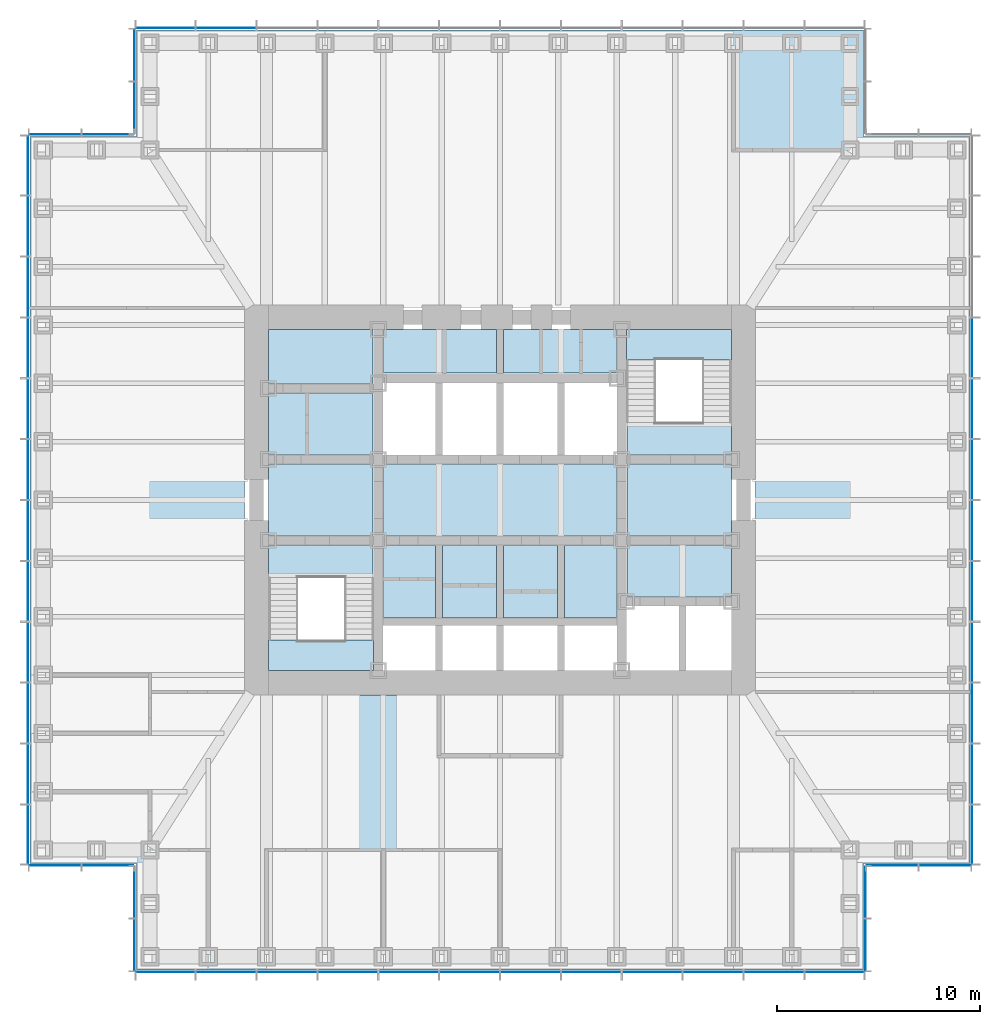
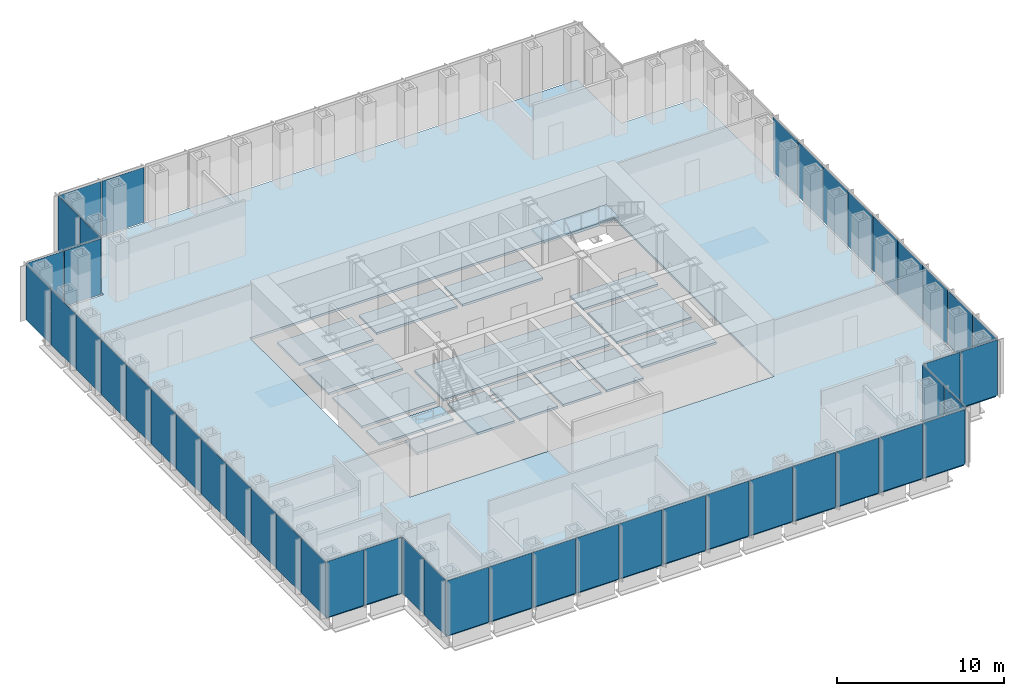
# One storey, part 7 of 16: 47 plates, 17 slabs, 12 elements without a shape of their own.
"""IFC4 building model written with IfcOpenShell, lengths in metres."""

from ifc_helpers import new_model, si_unit, direction, frame, origin, origin_2d, place, context, subcontext, project, spatial, polyline, rectangle, outline, extrude, material, layer, layer_set, type_object, element, aggregate, save


model = new_model("IFC4")

# Units and contexts
model_context = context("Model", 3, precision=1e-05, world=origin(), true_north=direction((0.0, 1.0)))
body_context = subcontext(model_context, "Body", "Model", "MODEL_VIEW")
ifc_project = project(units=[si_unit("LENGTHUNIT", "METRE"), si_unit("AREAUNIT", "SQUARE_METRE"), si_unit("VOLUMEUNIT", "CUBIC_METRE"), si_unit("PLANEANGLEUNIT", "RADIAN"), si_unit("MASSUNIT", "GRAM", prefix="KILO")], contexts=[model_context])

# Site, building, storey
site_placement = place(None, origin())
site = spatial("IfcSite", under=ifc_project, at=site_placement, CompositionType="ELEMENT")
building_placement = place(site_placement, origin())
building = spatial("IfcBuilding", under=site, at=building_placement, Name="Daluyong Arena Tower", CompositionType="ELEMENT")
storey_placement = place(building_placement, frame((0.0, 0.0, 116.5)))
storey = spatial("IfcBuildingStorey", under=building, at=storey_placement, Name="L25", CompositionType="ELEMENT", Elevation=116.5)

# Curtain wall, plates
ifc_material_1 = material(Name="Bronze anodised aluminium and glass", Category="aluminium")
curtain_wall_type_1 = type_object("IfcCurtainWallType", Name="Curtain wall CW2", PredefinedType="USERDEFINED", material=ifc_material_1)
curtain_wall_1_placement = place(storey_placement, origin())
curtain_wall_1 = element("IfcCurtainWall", 1, at=curtain_wall_1_placement, inside=storey, type_object=curtain_wall_type_1, Name="curtain wall L25 S", ObjectType="UNITISED CURTAIN WALL", PredefinedType="USERDEFINED")
ifc_material_2 = material(Name="Tinted double glazed unit", Category="glass")
ifc_layer_1 = layer(ifc_material_2, 0.031982421875)
ifc_layer_set_1 = layer_set([ifc_layer_1], Name="Tinted double glazed unit")
plate_type_1 = type_object("IfcPlateType", Name="CW2 panel 32", PredefinedType="CURTAIN_PANEL", material=ifc_layer_set_1)
plate_1_placement = place(storey_placement, frame((39.52001953125, 56.75, 0.0), z_axis=(0.0, 0.0, 1.0), x_axis=(1.0, 0.0, 0.0)))
plate_1 = element("IfcPlate", 2, at=plate_1_placement, type_object=plate_type_1, Name="curtain wall L25 S panel 1", PredefinedType="CURTAIN_PANEL", context=body_context, shape_type="SweptSolid", body=[
    extrude(rectangle(XDim=2.8798828125, YDim=0.031982421875, at=origin_2d()), origin(), (0.0, 0.0, 1.0), 4.02001953125),
])
plate_2_placement = place(storey_placement, frame((42.5, 56.75, 0.0), z_axis=(0.0, 0.0, 1.0), x_axis=(1.0, 0.0, 0.0)))
plate_2 = element("IfcPlate", 3, at=plate_2_placement, type_object=plate_type_1, Name="curtain wall L25 S panel 2", PredefinedType="CURTAIN_PANEL", context=body_context, shape_type="SweptSolid", body=[
    extrude(rectangle(XDim=2.919921875, YDim=0.031982421875, at=origin_2d()), origin(), (0.0, 0.0, 1.0), 4.02001953125),
])
plate_3_placement = place(storey_placement, frame((45.5, 56.75, 0.0), z_axis=(0.0, 0.0, 1.0), x_axis=(1.0, 0.0, 0.0)))
plate_3 = element("IfcPlate", 4, at=plate_3_placement, type_object=plate_type_1, Name="curtain wall L25 S panel 3", PredefinedType="CURTAIN_PANEL", context=body_context, shape_type="SweptSolid", body=[
    extrude(rectangle(XDim=2.919921875, YDim=0.031982421875, at=origin_2d()), origin(), (0.0, 0.0, 1.0), 4.02001953125),
])
plate_4_placement = place(storey_placement, frame((48.5, 56.75, 0.0), z_axis=(0.0, 0.0, 1.0), x_axis=(1.0, 0.0, 0.0)))
plate_4 = element("IfcPlate", 5, at=plate_4_placement, type_object=plate_type_1, Name="curtain wall L25 S panel 4", PredefinedType="CURTAIN_PANEL", context=body_context, shape_type="SweptSolid", body=[
    extrude(rectangle(XDim=2.919921875, YDim=0.031982421875, at=origin_2d()), origin(), (0.0, 0.0, 1.0), 4.02001953125),
])
plate_5_placement = place(storey_placement, frame((51.5, 56.75, 0.0), z_axis=(0.0, 0.0, 1.0), x_axis=(1.0, 0.0, 0.0)))
plate_5 = element("IfcPlate", 6, at=plate_5_placement, type_object=plate_type_1, Name="curtain wall L25 S panel 5", PredefinedType="CURTAIN_PANEL", context=body_context, shape_type="SweptSolid", body=[
    extrude(rectangle(XDim=2.919921875, YDim=0.031982421875, at=origin_2d()), origin(), (0.0, 0.0, 1.0), 4.02001953125),
])
plate_6_placement = place(storey_placement, frame((54.5, 56.75, 0.0), z_axis=(0.0, 0.0, 1.0), x_axis=(1.0, 0.0, 0.0)))
plate_6 = element("IfcPlate", 7, at=plate_6_placement, type_object=plate_type_1, Name="curtain wall L25 S panel 6", PredefinedType="CURTAIN_PANEL", context=body_context, shape_type="SweptSolid", body=[
    extrude(rectangle(XDim=2.919921875, YDim=0.031982421875, at=origin_2d()), origin(), (0.0, 0.0, 1.0), 4.02001953125),
])
plate_7_placement = place(storey_placement, frame((57.5, 56.75, 0.0), z_axis=(0.0, 0.0, 1.0), x_axis=(1.0, 0.0, 0.0)))
plate_7 = element("IfcPlate", 8, at=plate_7_placement, type_object=plate_type_1, Name="curtain wall L25 S panel 7", PredefinedType="CURTAIN_PANEL", context=body_context, shape_type="SweptSolid", body=[
    extrude(rectangle(XDim=2.919921875, YDim=0.031982421875, at=origin_2d()), origin(), (0.0, 0.0, 1.0), 4.02001953125),
])
plate_8_placement = place(storey_placement, frame((60.5, 56.75, 0.0), z_axis=(0.0, 0.0, 1.0), x_axis=(1.0, 0.0, 0.0)))
plate_8 = element("IfcPlate", 9, at=plate_8_placement, type_object=plate_type_1, Name="curtain wall L25 S panel 8", PredefinedType="CURTAIN_PANEL", context=body_context, shape_type="SweptSolid", body=[
    extrude(rectangle(XDim=2.919921875, YDim=0.031982421875, at=origin_2d()), origin(), (0.0, 0.0, 1.0), 4.02001953125),
])
plate_9_placement = place(storey_placement, frame((63.5, 56.75, 0.0), z_axis=(0.0, 0.0, 1.0), x_axis=(1.0, 0.0, 0.0)))
plate_9 = element("IfcPlate", 10, at=plate_9_placement, type_object=plate_type_1, Name="curtain wall L25 S panel 9", PredefinedType="CURTAIN_PANEL", context=body_context, shape_type="SweptSolid", body=[
    extrude(rectangle(XDim=2.919921875, YDim=0.031982421875, at=origin_2d()), origin(), (0.0, 0.0, 1.0), 4.02001953125),
])
plate_10_placement = place(storey_placement, frame((66.5, 56.75, 0.0), z_axis=(0.0, 0.0, 1.0), x_axis=(1.0, 0.0, 0.0)))
plate_10 = element("IfcPlate", 11, at=plate_10_placement, type_object=plate_type_1, Name="curtain wall L25 S panel 10", PredefinedType="CURTAIN_PANEL", context=body_context, shape_type="SweptSolid", body=[
    extrude(rectangle(XDim=2.919921875, YDim=0.031982421875, at=origin_2d()), origin(), (0.0, 0.0, 1.0), 4.02001953125),
])
plate_11_placement = place(storey_placement, frame((69.5, 56.75, 0.0), z_axis=(0.0, 0.0, 1.0), x_axis=(1.0, 0.0, 0.0)))
plate_11 = element("IfcPlate", 12, at=plate_11_placement, type_object=plate_type_1, Name="curtain wall L25 S panel 11", PredefinedType="CURTAIN_PANEL", context=body_context, shape_type="SweptSolid", body=[
    extrude(rectangle(XDim=2.919921875, YDim=0.031982421875, at=origin_2d()), origin(), (0.0, 0.0, 1.0), 4.02001953125),
])
plate_12_placement = place(storey_placement, frame((72.47998046875, 56.75, 0.0), z_axis=(0.0, 0.0, 1.0), x_axis=(1.0, 0.0, 0.0)))
plate_12 = element("IfcPlate", 13, at=plate_12_placement, type_object=plate_type_1, Name="curtain wall L25 S panel 12", PredefinedType="CURTAIN_PANEL", context=body_context, shape_type="SweptSolid", body=[
    extrude(rectangle(XDim=2.8798828125, YDim=0.031982421875, at=origin_2d()), origin(), (0.0, 0.0, 1.0), 4.02001953125),
])
aggregate(curtain_wall_1, [plate_1, plate_2, plate_3, plate_4, plate_5, plate_6, plate_7, plate_8, plate_9, plate_10, plate_11, plate_12])

curtain_wall_2_placement = place(storey_placement, origin())
curtain_wall_2 = element("IfcCurtainWall", 14, at=curtain_wall_2_placement, inside=storey, type_object=curtain_wall_type_1, Name="curtain wall L25 E", ObjectType="UNITISED CURTAIN WALL", PredefinedType="USERDEFINED")
plate_13_placement = place(storey_placement, frame((79.25, 63.52001953125, 0.0), z_axis=(0.0, 0.0, 1.0), x_axis=(0.0, 1.0, 0.0)))
plate_13 = element("IfcPlate", 15, at=plate_13_placement, type_object=plate_type_1, Name="curtain wall L25 E panel 1", PredefinedType="CURTAIN_PANEL", context=body_context, shape_type="SweptSolid", body=[
    extrude(rectangle(XDim=2.8798828125, YDim=0.031982421875, at=origin_2d()), origin(), (0.0, 0.0, 1.0), 4.02001953125),
])
plate_14_placement = place(storey_placement, frame((79.25, 66.5, 0.0), z_axis=(0.0, 0.0, 1.0), x_axis=(0.0, 1.0, 0.0)))
plate_14 = element("IfcPlate", 16, at=plate_14_placement, type_object=plate_type_1, Name="curtain wall L25 E panel 2", PredefinedType="CURTAIN_PANEL", context=body_context, shape_type="SweptSolid", body=[
    extrude(rectangle(XDim=2.919921875, YDim=0.031982421875, at=origin_2d()), origin(), (0.0, 0.0, 1.0), 4.02001953125),
])
plate_15_placement = place(storey_placement, frame((79.25, 69.5, 0.0), z_axis=(0.0, 0.0, 1.0), x_axis=(0.0, 1.0, 0.0)))
plate_15 = element("IfcPlate", 17, at=plate_15_placement, type_object=plate_type_1, Name="curtain wall L25 E panel 3", PredefinedType="CURTAIN_PANEL", context=body_context, shape_type="SweptSolid", body=[
    extrude(rectangle(XDim=2.919921875, YDim=0.031982421875, at=origin_2d()), origin(), (0.0, 0.0, 1.0), 4.02001953125),
])
plate_16_placement = place(storey_placement, frame((79.25, 72.5, 0.0), z_axis=(0.0, 0.0, 1.0), x_axis=(0.0, 1.0, 0.0)))
plate_16 = element("IfcPlate", 18, at=plate_16_placement, type_object=plate_type_1, Name="curtain wall L25 E panel 4", PredefinedType="CURTAIN_PANEL", context=body_context, shape_type="SweptSolid", body=[
    extrude(rectangle(XDim=2.919921875, YDim=0.031982421875, at=origin_2d()), origin(), (0.0, 0.0, 1.0), 4.02001953125),
])
plate_17_placement = place(storey_placement, frame((79.25, 75.5, 0.0), z_axis=(0.0, 0.0, 1.0), x_axis=(0.0, 1.0, 0.0)))
plate_17 = element("IfcPlate", 19, at=plate_17_placement, type_object=plate_type_1, Name="curtain wall L25 E panel 5", PredefinedType="CURTAIN_PANEL", context=body_context, shape_type="SweptSolid", body=[
    extrude(rectangle(XDim=2.919921875, YDim=0.031982421875, at=origin_2d()), origin(), (0.0, 0.0, 1.0), 4.02001953125),
])
plate_18_placement = place(storey_placement, frame((79.25, 78.5, 0.0), z_axis=(0.0, 0.0, 1.0), x_axis=(0.0, 1.0, 0.0)))
plate_18 = element("IfcPlate", 20, at=plate_18_placement, type_object=plate_type_1, Name="curtain wall L25 E panel 6", PredefinedType="CURTAIN_PANEL", context=body_context, shape_type="SweptSolid", body=[
    extrude(rectangle(XDim=2.919921875, YDim=0.031982421875, at=origin_2d()), origin(), (0.0, 0.0, 1.0), 4.02001953125),
])
plate_19_placement = place(storey_placement, frame((79.25, 81.5, 0.0), z_axis=(0.0, 0.0, 1.0), x_axis=(0.0, 1.0, 0.0)))
plate_19 = element("IfcPlate", 21, at=plate_19_placement, type_object=plate_type_1, Name="curtain wall L25 E panel 7", PredefinedType="CURTAIN_PANEL", context=body_context, shape_type="SweptSolid", body=[
    extrude(rectangle(XDim=2.919921875, YDim=0.031982421875, at=origin_2d()), origin(), (0.0, 0.0, 1.0), 4.02001953125),
])
plate_20_placement = place(storey_placement, frame((79.25, 84.5, 0.0), z_axis=(0.0, 0.0, 1.0), x_axis=(0.0, 1.0, 0.0)))
plate_20 = element("IfcPlate", 22, at=plate_20_placement, type_object=plate_type_1, Name="curtain wall L25 E panel 8", PredefinedType="CURTAIN_PANEL", context=body_context, shape_type="SweptSolid", body=[
    extrude(rectangle(XDim=2.919921875, YDim=0.031982421875, at=origin_2d()), origin(), (0.0, 0.0, 1.0), 4.02001953125),
])
plate_21_placement = place(storey_placement, frame((79.25, 87.5, 0.0), z_axis=(0.0, 0.0, 1.0), x_axis=(0.0, 1.0, 0.0)))
plate_21 = element("IfcPlate", 23, at=plate_21_placement, type_object=plate_type_1, Name="curtain wall L25 E panel 9", PredefinedType="CURTAIN_PANEL", context=body_context, shape_type="SweptSolid", body=[
    extrude(rectangle(XDim=2.919921875, YDim=0.031982421875, at=origin_2d()), origin(), (0.0, 0.0, 1.0), 4.02001953125),
])
aggregate(curtain_wall_2, [plate_13, plate_14, plate_15, plate_16, plate_17, plate_18, plate_19, plate_20, plate_21])

curtain_wall_3_placement = place(storey_placement, origin())
curtain_wall_3 = element("IfcCurtainWall", 24, at=curtain_wall_3_placement, inside=storey, type_object=curtain_wall_type_1, Name="curtain wall L25 N", ObjectType="UNITISED CURTAIN WALL", PredefinedType="USERDEFINED")
plate_22_placement = place(storey_placement, frame((42.5, 103.25, 0.0), z_axis=(0.0, 0.0, 1.0), x_axis=(-1.0, 0.0, 0.0)))
plate_22 = element("IfcPlate", 25, at=plate_22_placement, type_object=plate_type_1, Name="curtain wall L25 N panel 11", PredefinedType="CURTAIN_PANEL", context=body_context, shape_type="SweptSolid", body=[
    extrude(rectangle(XDim=2.919921875, YDim=0.031982421875, at=origin_2d()), origin(), (0.0, 0.0, 1.0), 4.02001953125),
])
plate_23_placement = place(storey_placement, frame((39.52001953125, 103.25, 0.0), z_axis=(0.0, 0.0, 1.0), x_axis=(-1.0, 0.0, 0.0)))
plate_23 = element("IfcPlate", 26, at=plate_23_placement, type_object=plate_type_1, Name="curtain wall L25 N panel 12", PredefinedType="CURTAIN_PANEL", context=body_context, shape_type="SweptSolid", body=[
    extrude(rectangle(XDim=2.8798828125, YDim=0.031982421875, at=origin_2d()), origin(), (0.0, 0.0, 1.0), 4.02001953125),
])
aggregate(curtain_wall_3, [plate_22, plate_23])

curtain_wall_4_placement = place(storey_placement, origin())
curtain_wall_4 = element("IfcCurtainWall", 27, at=curtain_wall_4_placement, inside=storey, type_object=curtain_wall_type_1, Name="curtain wall L25 W", ObjectType="UNITISED CURTAIN WALL", PredefinedType="USERDEFINED")
plate_24_placement = place(storey_placement, frame((32.75, 96.47998046875, 0.0), z_axis=(0.0, 0.0, 1.0), x_axis=(0.0, -1.0, 0.0)))
plate_24 = element("IfcPlate", 28, at=plate_24_placement, type_object=plate_type_1, Name="curtain wall L25 W panel 1", PredefinedType="CURTAIN_PANEL", context=body_context, shape_type="SweptSolid", body=[
    extrude(rectangle(XDim=2.8798828125, YDim=0.031982421875, at=origin_2d()), origin(), (0.0, 0.0, 1.0), 4.02001953125),
])
plate_25_placement = place(storey_placement, frame((32.75, 93.5, 0.0), z_axis=(0.0, 0.0, 1.0), x_axis=(0.0, -1.0, 0.0)))
plate_25 = element("IfcPlate", 29, at=plate_25_placement, type_object=plate_type_1, Name="curtain wall L25 W panel 2", PredefinedType="CURTAIN_PANEL", context=body_context, shape_type="SweptSolid", body=[
    extrude(rectangle(XDim=2.919921875, YDim=0.031982421875, at=origin_2d()), origin(), (0.0, 0.0, 1.0), 4.02001953125),
])
plate_26_placement = place(storey_placement, frame((32.75, 90.5, 0.0), z_axis=(0.0, 0.0, 1.0), x_axis=(0.0, -1.0, 0.0)))
plate_26 = element("IfcPlate", 30, at=plate_26_placement, type_object=plate_type_1, Name="curtain wall L25 W panel 3", PredefinedType="CURTAIN_PANEL", context=body_context, shape_type="SweptSolid", body=[
    extrude(rectangle(XDim=2.919921875, YDim=0.031982421875, at=origin_2d()), origin(), (0.0, 0.0, 1.0), 4.02001953125),
])
plate_27_placement = place(storey_placement, frame((32.75, 87.5, 0.0), z_axis=(0.0, 0.0, 1.0), x_axis=(0.0, -1.0, 0.0)))
plate_27 = element("IfcPlate", 31, at=plate_27_placement, type_object=plate_type_1, Name="curtain wall L25 W panel 4", PredefinedType="CURTAIN_PANEL", context=body_context, shape_type="SweptSolid", body=[
    extrude(rectangle(XDim=2.919921875, YDim=0.031982421875, at=origin_2d()), origin(), (0.0, 0.0, 1.0), 4.02001953125),
])
plate_28_placement = place(storey_placement, frame((32.75, 84.5, 0.0), z_axis=(0.0, 0.0, 1.0), x_axis=(0.0, -1.0, 0.0)))
plate_28 = element("IfcPlate", 32, at=plate_28_placement, type_object=plate_type_1, Name="curtain wall L25 W panel 5", PredefinedType="CURTAIN_PANEL", context=body_context, shape_type="SweptSolid", body=[
    extrude(rectangle(XDim=2.919921875, YDim=0.031982421875, at=origin_2d()), origin(), (0.0, 0.0, 1.0), 4.02001953125),
])
plate_29_placement = place(storey_placement, frame((32.75, 81.5, 0.0), z_axis=(0.0, 0.0, 1.0), x_axis=(0.0, -1.0, 0.0)))
plate_29 = element("IfcPlate", 33, at=plate_29_placement, type_object=plate_type_1, Name="curtain wall L25 W panel 6", PredefinedType="CURTAIN_PANEL", context=body_context, shape_type="SweptSolid", body=[
    extrude(rectangle(XDim=2.919921875, YDim=0.031982421875, at=origin_2d()), origin(), (0.0, 0.0, 1.0), 4.02001953125),
])
plate_30_placement = place(storey_placement, frame((32.75, 78.5, 0.0), z_axis=(0.0, 0.0, 1.0), x_axis=(0.0, -1.0, 0.0)))
plate_30 = element("IfcPlate", 34, at=plate_30_placement, type_object=plate_type_1, Name="curtain wall L25 W panel 7", PredefinedType="CURTAIN_PANEL", context=body_context, shape_type="SweptSolid", body=[
    extrude(rectangle(XDim=2.919921875, YDim=0.031982421875, at=origin_2d()), origin(), (0.0, 0.0, 1.0), 4.02001953125),
])
plate_31_placement = place(storey_placement, frame((32.75, 75.5, 0.0), z_axis=(0.0, 0.0, 1.0), x_axis=(0.0, -1.0, 0.0)))
plate_31 = element("IfcPlate", 35, at=plate_31_placement, type_object=plate_type_1, Name="curtain wall L25 W panel 8", PredefinedType="CURTAIN_PANEL", context=body_context, shape_type="SweptSolid", body=[
    extrude(rectangle(XDim=2.919921875, YDim=0.031982421875, at=origin_2d()), origin(), (0.0, 0.0, 1.0), 4.02001953125),
])
plate_32_placement = place(storey_placement, frame((32.75, 72.5, 0.0), z_axis=(0.0, 0.0, 1.0), x_axis=(0.0, -1.0, 0.0)))
plate_32 = element("IfcPlate", 36, at=plate_32_placement, type_object=plate_type_1, Name="curtain wall L25 W panel 9", PredefinedType="CURTAIN_PANEL", context=body_context, shape_type="SweptSolid", body=[
    extrude(rectangle(XDim=2.919921875, YDim=0.031982421875, at=origin_2d()), origin(), (0.0, 0.0, 1.0), 4.02001953125),
])
plate_33_placement = place(storey_placement, frame((32.75, 69.5, 0.0), z_axis=(0.0, 0.0, 1.0), x_axis=(0.0, -1.0, 0.0)))
plate_33 = element("IfcPlate", 37, at=plate_33_placement, type_object=plate_type_1, Name="curtain wall L25 W panel 10", PredefinedType="CURTAIN_PANEL", context=body_context, shape_type="SweptSolid", body=[
    extrude(rectangle(XDim=2.919921875, YDim=0.031982421875, at=origin_2d()), origin(), (0.0, 0.0, 1.0), 4.02001953125),
])
plate_34_placement = place(storey_placement, frame((32.75, 66.5, 0.0), z_axis=(0.0, 0.0, 1.0), x_axis=(0.0, -1.0, 0.0)))
plate_34 = element("IfcPlate", 38, at=plate_34_placement, type_object=plate_type_1, Name="curtain wall L25 W panel 11", PredefinedType="CURTAIN_PANEL", context=body_context, shape_type="SweptSolid", body=[
    extrude(rectangle(XDim=2.919921875, YDim=0.031982421875, at=origin_2d()), origin(), (0.0, 0.0, 1.0), 4.02001953125),
])
plate_35_placement = place(storey_placement, frame((32.75, 63.52001953125, 0.0), z_axis=(0.0, 0.0, 1.0), x_axis=(0.0, -1.0, 0.0)))
plate_35 = element("IfcPlate", 39, at=plate_35_placement, type_object=plate_type_1, Name="curtain wall L25 W panel 12", PredefinedType="CURTAIN_PANEL", context=body_context, shape_type="SweptSolid", body=[
    extrude(rectangle(XDim=2.8798828125, YDim=0.031982421875, at=origin_2d()), origin(), (0.0, 0.0, 1.0), 4.02001953125),
])
aggregate(curtain_wall_4, [plate_24, plate_25, plate_26, plate_27, plate_28, plate_29, plate_30, plate_31, plate_32, plate_33, plate_34, plate_35])

ifc_material_3 = material(Name="Bronze anodised aluminium and glass", Category="aluminium")
curtain_wall_type_2 = type_object("IfcCurtainWallType", Name="Curtain wall CW7", PredefinedType="USERDEFINED", material=ifc_material_3)
curtain_wall_5_placement = place(storey_placement, origin())
curtain_wall_5 = element("IfcCurtainWall", 40, at=curtain_wall_5_placement, inside=storey, type_object=curtain_wall_type_2, Name="curtain wall L25 SE-E", ObjectType="UNITISED CURTAIN WALL", PredefinedType="USERDEFINED")
ifc_material_4 = material(Name="Tinted double glazed unit", Category="glass")
ifc_layer_2 = layer(ifc_material_4, 0.028076171875)
ifc_layer_set_2 = layer_set([ifc_layer_2], Name="Tinted double glazed unit")
plate_type_2 = type_object("IfcPlateType", Name="CW7 panel 28", PredefinedType="CURTAIN_PANEL", material=ifc_layer_set_2)
plate_36_placement = place(storey_placement, frame((74.0, 58.077392578125, 0.0), z_axis=(0.0, 0.0, 1.0), x_axis=(0.0, 1.0, 0.0)))
plate_36 = element("IfcPlate", 41, at=plate_36_placement, type_object=plate_type_2, Name="curtain wall L25 SE-E panel 1", PredefinedType="CURTAIN_PANEL", context=body_context, shape_type="SweptSolid", body=[
    extrude(rectangle(XDim=2.534912109375, YDim=0.028076171875, at=origin_2d()), origin(), (0.0, 0.0, 1.0), 4.080078125),
])
plate_37_placement = place(storey_placement, frame((74.0, 60.672607421875, 0.0), z_axis=(0.0, 0.0, 1.0), x_axis=(0.0, 1.0, 0.0)))
plate_37 = element("IfcPlate", 42, at=plate_37_placement, type_object=plate_type_2, Name="curtain wall L25 SE-E panel 2", PredefinedType="CURTAIN_PANEL", context=body_context, shape_type="SweptSolid", body=[
    extrude(rectangle(XDim=2.534912109375, YDim=0.028076171875, at=origin_2d()), origin(), (0.0, 0.0, 1.0), 4.080078125),
])
aggregate(curtain_wall_5, [plate_36, plate_37])

curtain_wall_6_placement = place(storey_placement, origin())
curtain_wall_6 = element("IfcCurtainWall", 43, at=curtain_wall_6_placement, inside=storey, type_object=curtain_wall_type_2, Name="curtain wall L25 SE-S", ObjectType="UNITISED CURTAIN WALL", PredefinedType="USERDEFINED")
plate_38_placement = place(storey_placement, frame((75.327392578125, 62.0, 0.0), z_axis=(0.0, 0.0, 1.0), x_axis=(1.0, 0.0, 0.0)))
plate_38 = element("IfcPlate", 44, at=plate_38_placement, type_object=plate_type_2, Name="curtain wall L25 SE-S panel 1", PredefinedType="CURTAIN_PANEL", context=body_context, shape_type="SweptSolid", body=[
    extrude(rectangle(XDim=2.534912109375, YDim=0.028076171875, at=origin_2d()), origin(), (0.0, 0.0, 1.0), 4.080078125),
])
plate_39_placement = place(storey_placement, frame((77.922607421875, 62.0, 0.0), z_axis=(0.0, 0.0, 1.0), x_axis=(1.0, 0.0, 0.0)))
plate_39 = element("IfcPlate", 45, at=plate_39_placement, type_object=plate_type_2, Name="curtain wall L25 SE-S panel 2", PredefinedType="CURTAIN_PANEL", context=body_context, shape_type="SweptSolid", body=[
    extrude(rectangle(XDim=2.534912109375, YDim=0.028076171875, at=origin_2d()), origin(), (0.0, 0.0, 1.0), 4.080078125),
])
aggregate(curtain_wall_6, [plate_38, plate_39])

curtain_wall_7_placement = place(storey_placement, origin())
curtain_wall_7 = element("IfcCurtainWall", 46, at=curtain_wall_7_placement, inside=storey, type_object=curtain_wall_type_2, Name="curtain wall L25 NW-W", ObjectType="UNITISED CURTAIN WALL", PredefinedType="USERDEFINED")
plate_40_placement = place(storey_placement, frame((38.0, 101.922607421875, 0.0), z_axis=(0.0, 0.0, 1.0), x_axis=(0.0, -1.0, 0.0)))
plate_40 = element("IfcPlate", 47, at=plate_40_placement, type_object=plate_type_2, Name="curtain wall L25 NW-W panel 1", PredefinedType="CURTAIN_PANEL", context=body_context, shape_type="SweptSolid", body=[
    extrude(rectangle(XDim=2.534912109375, YDim=0.028076171875, at=origin_2d()), origin(), (0.0, 0.0, 1.0), 4.080078125),
])
plate_41_placement = place(storey_placement, frame((38.0, 99.327392578125, 0.0), z_axis=(0.0, 0.0, 1.0), x_axis=(0.0, -1.0, 0.0)))
plate_41 = element("IfcPlate", 48, at=plate_41_placement, type_object=plate_type_2, Name="curtain wall L25 NW-W panel 2", PredefinedType="CURTAIN_PANEL", context=body_context, shape_type="SweptSolid", body=[
    extrude(rectangle(XDim=2.534912109375, YDim=0.028076171875, at=origin_2d()), origin(), (0.0, 0.0, 1.0), 4.080078125),
])
aggregate(curtain_wall_7, [plate_40, plate_41])

curtain_wall_8_placement = place(storey_placement, origin())
curtain_wall_8 = element("IfcCurtainWall", 49, at=curtain_wall_8_placement, inside=storey, type_object=curtain_wall_type_2, Name="curtain wall L25 NW-N", ObjectType="UNITISED CURTAIN WALL", PredefinedType="USERDEFINED")
plate_42_placement = place(storey_placement, frame((36.672607421875, 98.0, 0.0), z_axis=(0.0, 0.0, 1.0), x_axis=(-1.0, 0.0, 0.0)))
plate_42 = element("IfcPlate", 50, at=plate_42_placement, type_object=plate_type_2, Name="curtain wall L25 NW-N panel 1", PredefinedType="CURTAIN_PANEL", context=body_context, shape_type="SweptSolid", body=[
    extrude(rectangle(XDim=2.534912109375, YDim=0.028076171875, at=origin_2d()), origin(), (0.0, 0.0, 1.0), 4.080078125),
])
plate_43_placement = place(storey_placement, frame((34.077392578125, 98.0, 0.0), z_axis=(0.0, 0.0, 1.0), x_axis=(-1.0, 0.0, 0.0)))
plate_43 = element("IfcPlate", 51, at=plate_43_placement, type_object=plate_type_2, Name="curtain wall L25 NW-N panel 2", PredefinedType="CURTAIN_PANEL", context=body_context, shape_type="SweptSolid", body=[
    extrude(rectangle(XDim=2.534912109375, YDim=0.028076171875, at=origin_2d()), origin(), (0.0, 0.0, 1.0), 4.080078125),
])
aggregate(curtain_wall_8, [plate_42, plate_43])

curtain_wall_9_placement = place(storey_placement, origin())
curtain_wall_9 = element("IfcCurtainWall", 52, at=curtain_wall_9_placement, inside=storey, type_object=curtain_wall_type_2, Name="curtain wall L25 SW-S", ObjectType="UNITISED CURTAIN WALL", PredefinedType="USERDEFINED")
plate_44_placement = place(storey_placement, frame((34.077392578125, 62.0, 0.0), z_axis=(0.0, 0.0, 1.0), x_axis=(1.0, 0.0, 0.0)))
plate_44 = element("IfcPlate", 53, at=plate_44_placement, type_object=plate_type_2, Name="curtain wall L25 SW-S panel 1", PredefinedType="CURTAIN_PANEL", context=body_context, shape_type="SweptSolid", body=[
    extrude(rectangle(XDim=2.534912109375, YDim=0.028076171875, at=origin_2d()), origin(), (0.0, 0.0, 1.0), 4.080078125),
])
plate_45_placement = place(storey_placement, frame((36.672607421875, 62.0, 0.0), z_axis=(0.0, 0.0, 1.0), x_axis=(1.0, 0.0, 0.0)))
plate_45 = element("IfcPlate", 54, at=plate_45_placement, type_object=plate_type_2, Name="curtain wall L25 SW-S panel 2", PredefinedType="CURTAIN_PANEL", context=body_context, shape_type="SweptSolid", body=[
    extrude(rectangle(XDim=2.534912109375, YDim=0.028076171875, at=origin_2d()), origin(), (0.0, 0.0, 1.0), 4.080078125),
])
aggregate(curtain_wall_9, [plate_44, plate_45])

curtain_wall_10_placement = place(storey_placement, origin())
curtain_wall_10 = element("IfcCurtainWall", 55, at=curtain_wall_10_placement, inside=storey, type_object=curtain_wall_type_2, Name="curtain wall L25 SW-W", ObjectType="UNITISED CURTAIN WALL", PredefinedType="USERDEFINED")
plate_46_placement = place(storey_placement, frame((38.0, 60.672607421875, 0.0), z_axis=(0.0, 0.0, 1.0), x_axis=(0.0, -1.0, 0.0)))
plate_46 = element("IfcPlate", 56, at=plate_46_placement, type_object=plate_type_2, Name="curtain wall L25 SW-W panel 1", PredefinedType="CURTAIN_PANEL", context=body_context, shape_type="SweptSolid", body=[
    extrude(rectangle(XDim=2.534912109375, YDim=0.028076171875, at=origin_2d()), origin(), (0.0, 0.0, 1.0), 4.080078125),
])
plate_47_placement = place(storey_placement, frame((38.0, 58.077392578125, 0.0), z_axis=(0.0, 0.0, 1.0), x_axis=(0.0, -1.0, 0.0)))
plate_47 = element("IfcPlate", 57, at=plate_47_placement, type_object=plate_type_2, Name="curtain wall L25 SW-W panel 2", PredefinedType="CURTAIN_PANEL", context=body_context, shape_type="SweptSolid", body=[
    extrude(rectangle(XDim=2.534912109375, YDim=0.028076171875, at=origin_2d()), origin(), (0.0, 0.0, 1.0), 4.080078125),
])
aggregate(curtain_wall_10, [plate_46, plate_47])

# Stair, slab
ifc_material_5 = material(Name="Concrete fc' 35 MPa", Category="concrete")
stair_type = type_object("IfcStairType", Name="Core exit stair", PredefinedType="HALF_TURN_STAIR", material=ifc_material_5)
stair_1_placement = place(storey_placement, origin())
stair_1 = element("IfcStair", 58, at=stair_1_placement, inside=storey, type_object=stair_type, Name="exit stair A L25", PredefinedType="HALF_TURN_STAIR")
ifc_material_6 = material(Name="Concrete fc' 35 MPa", Category="concrete")
ifc_layer_3 = layer(ifc_material_6, 0.199951171875)
ifc_layer_set_3 = layer_set([ifc_layer_3], Name="Concrete fc' 35 MPa")
slab_type_1 = type_object("IfcSlabType", Name="Stair landing 200", PredefinedType="LANDING", material=ifc_layer_set_3)
slab_1_placement = place(storey_placement, frame((0.0, 0.0, 1.89990234375)))
slab_1 = element("IfcSlab", 59, at=slab_1_placement, type_object=slab_type_1, Name="STA landing 1", PredefinedType="LANDING", context=body_context, shape_type="SweptSolid", body=[
    extrude(outline(polyline([(44.60009765625, 71.60009765625), (49.77490234375, 71.60009765625), (49.77490234375, 73.094970703125), (44.60009765625, 73.094970703125), (44.60009765625, 71.60009765625)])), origin(), (0.0, 0.0, 1.0), 0.2001953125),
])
aggregate(stair_1, [slab_1])

stair_2_placement = place(storey_placement, origin())
stair_2 = element("IfcStair", 60, at=stair_2_placement, inside=storey, type_object=stair_type, Name="exit stair B L25", PredefinedType="HALF_TURN_STAIR")
slab_2_placement = place(storey_placement, frame((0.0, 0.0, 1.89990234375)))
slab_2 = element("IfcSlab", 61, at=slab_2_placement, type_object=slab_type_1, Name="STB landing 1", PredefinedType="LANDING", context=body_context, shape_type="SweptSolid", body=[
    extrude(outline(polyline([(62.22509765625, 86.905029296875), (67.39990234375, 86.905029296875), (67.39990234375, 88.39990234375), (62.22509765625, 88.39990234375), (62.22509765625, 86.905029296875)])), origin(), (0.0, 0.0, 1.0), 0.2001953125),
])
aggregate(stair_2, [slab_2])

# Slabs
ifc_material_7 = material(Name="Concrete fc' 35 MPa", Category="concrete")
ifc_layer_4 = layer(ifc_material_7, 0.159912109375)
ifc_layer_set_4 = layer_set([ifc_layer_4], Name="Concrete fc' 35 MPa")
slab_type_2 = type_object("IfcSlabType", Name="Tower floor slab 160", PredefinedType="FLOOR", material=ifc_layer_set_4)
slab_3_placement = place(storey_placement, frame((0.0, 0.0, -0.159912109375)))
element("IfcSlab", 62, at=slab_3_placement, inside=storey, type_object=slab_type_2, Name="floor L25 part 1", PredefinedType="FLOOR", context=body_context, shape_type="SweptSolid", body=[
    extrude(outline(polyline([(49.75, 76.175048828125), (49.75, 77.75), (44.60009765625, 77.75), (44.60009765625, 76.175048828125), (49.75, 76.175048828125)])), origin(), (0.0, 0.0, 1.0), 0.159912109375),
])
slab_4_placement = place(storey_placement, frame((0.0, 0.0, -0.159912109375)))
element("IfcSlab", 63, at=slab_4_placement, inside=storey, type_object=slab_type_2, Name="floor L25 part 2", PredefinedType="FLOOR", context=body_context, shape_type="SweptSolid", body=[
    extrude(outline(polyline([(44.60009765625, 78.25), (49.75, 78.25), (49.75, 81.75), (44.60009765625, 81.75), (44.60009765625, 78.25)])), origin(), (0.0, 0.0, 1.0), 0.159912109375),
])
slab_5_placement = place(storey_placement, frame((0.0, 0.0, -0.159912109375)))
element("IfcSlab", 64, at=slab_5_placement, inside=storey, type_object=slab_type_2, Name="floor L25 part 3", PredefinedType="FLOOR", context=body_context, shape_type="SweptSolid", body=[
    extrude(outline(polyline([(44.60009765625, 82.25), (49.75, 82.25), (49.75, 85.25), (44.60009765625, 85.25), (44.60009765625, 82.25)])), origin(), (0.0, 0.0, 1.0), 0.159912109375),
])
slab_6_placement = place(storey_placement, frame((0.0, 0.0, -0.159912109375)))
element("IfcSlab", 65, at=slab_6_placement, inside=storey, type_object=slab_type_2, Name="floor L25 part 4", PredefinedType="FLOOR", context=body_context, shape_type="SweptSolid", body=[
    extrude(outline(polyline([(49.75, 88.39990234375), (44.60009765625, 88.39990234375), (44.60009765625, 85.75), (49.75, 85.75), (49.75, 88.39990234375)])), origin(), (0.0, 0.0, 1.0), 0.159912109375),
])
slab_7_placement = place(storey_placement, frame((0.0, 0.0, -0.159912109375)))
element("IfcSlab", 66, at=slab_7_placement, inside=storey, type_object=slab_type_2, Name="floor L25 part 5", PredefinedType="FLOOR", context=body_context, shape_type="SweptSolid", body=[
    extrude(outline(polyline([(52.824951171875, 77.75), (50.25, 77.75), (50.25, 74.175048828125), (52.824951171875, 74.175048828125), (52.824951171875, 77.75)])), origin(), (0.0, 0.0, 1.0), 0.159912109375),
])
slab_8_placement = place(storey_placement, frame((0.0, 0.0, -0.159912109375)))
element("IfcSlab", 67, at=slab_8_placement, inside=storey, type_object=slab_type_2, Name="floor L25 part 6", PredefinedType="FLOOR", context=body_context, shape_type="SweptSolid", body=[
    extrude(outline(polyline([(55.824951171875, 88.39990234375), (50.25, 88.39990234375), (50.25, 86.25), (55.824951171875, 86.25), (55.824951171875, 88.39990234375)])), origin(), (0.0, 0.0, 1.0), 0.159912109375),
])
slab_9_placement = place(storey_placement, frame((0.0, 0.0, -0.159912109375)))
element("IfcSlab", 68, at=slab_9_placement, inside=storey, type_object=slab_type_2, Name="floor L25 part 7", PredefinedType="FLOOR", context=body_context, shape_type="SweptSolid", body=[
    extrude(outline(polyline([(55.824951171875, 77.75), (53.175048828125, 77.75), (53.175048828125, 74.175048828125), (55.824951171875, 74.175048828125), (55.824951171875, 77.75)])), origin(), (0.0, 0.0, 1.0), 0.159912109375),
])
slab_10_placement = place(storey_placement, frame((0.0, 0.0, -0.159912109375)))
element("IfcSlab", 69, at=slab_10_placement, inside=storey, type_object=slab_type_2, Name="floor L25 part 8", PredefinedType="FLOOR", context=body_context, shape_type="SweptSolid", body=[
    extrude(outline(polyline([(38.10009765625, 62.10009765625), (38.10009765625, 56.85009765625), (73.89990234375, 56.85009765625), (73.89990234375, 62.10009765625), (79.14990234375, 62.10009765625), (79.14990234375, 97.89990234375), (73.89990234375, 97.89990234375), (73.89990234375, 103.14990234375), (38.10009765625, 103.14990234375), (38.10009765625, 97.89990234375), (32.85009765625, 97.89990234375), (32.85009765625, 62.10009765625), (38.10009765625, 62.10009765625)]), holes=[polyline([(68.60009765625, 89.60009765625), (68.60009765625, 70.39990234375), (43.39990234375, 70.39990234375), (43.39990234375, 89.60009765625), (68.60009765625, 89.60009765625)])]), origin(), (0.0, 0.0, 1.0), 0.159912109375),
])
slab_11_placement = place(storey_placement, frame((0.0, 0.0, -0.159912109375)))
element("IfcSlab", 70, at=slab_11_placement, inside=storey, type_object=slab_type_2, Name="floor L25 part 9", PredefinedType="FLOOR", context=body_context, shape_type="SweptSolid", body=[
    extrude(outline(polyline([(61.75, 78.25), (61.75, 81.75), (50.25, 81.75), (50.25, 78.25), (61.75, 78.25)])), origin(), (0.0, 0.0, 1.0), 0.159912109375),
])
slab_12_placement = place(storey_placement, frame((0.0, 0.0, -0.159912109375)))
element("IfcSlab", 71, at=slab_12_placement, inside=storey, type_object=slab_type_2, Name="floor L25 part 10", PredefinedType="FLOOR", context=body_context, shape_type="SweptSolid", body=[
    extrude(outline(polyline([(58.824951171875, 77.75), (56.175048828125, 77.75), (56.175048828125, 74.175048828125), (58.824951171875, 74.175048828125), (58.824951171875, 77.75)])), origin(), (0.0, 0.0, 1.0), 0.159912109375),
])
slab_13_placement = place(storey_placement, frame((0.0, 0.0, -0.159912109375)))
element("IfcSlab", 72, at=slab_13_placement, inside=storey, type_object=slab_type_2, Name="floor L25 part 11", PredefinedType="FLOOR", context=body_context, shape_type="SweptSolid", body=[
    extrude(outline(polyline([(56.175048828125, 88.39990234375), (56.175048828125, 86.25), (61.75, 86.25), (61.75, 88.39990234375), (56.175048828125, 88.39990234375)])), origin(), (0.0, 0.0, 1.0), 0.159912109375),
])
slab_14_placement = place(storey_placement, frame((0.0, 0.0, -0.159912109375)))
element("IfcSlab", 73, at=slab_14_placement, inside=storey, type_object=slab_type_2, Name="floor L25 part 12", PredefinedType="FLOOR", context=body_context, shape_type="SweptSolid", body=[
    extrude(outline(polyline([(59.175048828125, 77.75), (59.175048828125, 74.175048828125), (61.75, 74.175048828125), (61.75, 77.75), (59.175048828125, 77.75)])), origin(), (0.0, 0.0, 1.0), 0.159912109375),
])
slab_15_placement = place(storey_placement, frame((0.0, 0.0, -0.159912109375)))
element("IfcSlab", 74, at=slab_15_placement, inside=storey, type_object=slab_type_2, Name="floor L25 part 13", PredefinedType="FLOOR", context=body_context, shape_type="SweptSolid", body=[
    extrude(outline(polyline([(62.25, 82.25), (67.39990234375, 82.25), (67.39990234375, 83.824951171875), (62.25, 83.824951171875), (62.25, 82.25)])), origin(), (0.0, 0.0, 1.0), 0.159912109375),
])
slab_16_placement = place(storey_placement, frame((0.0, 0.0, -0.159912109375)))
element("IfcSlab", 75, at=slab_16_placement, inside=storey, type_object=slab_type_2, Name="floor L25 part 14", PredefinedType="FLOOR", context=body_context, shape_type="SweptSolid", body=[
    extrude(outline(polyline([(62.25, 75.25), (67.39990234375, 75.25), (67.39990234375, 77.75), (62.25, 77.75), (62.25, 75.25)])), origin(), (0.0, 0.0, 1.0), 0.159912109375),
])
slab_17_placement = place(storey_placement, frame((0.0, 0.0, -0.159912109375)))
element("IfcSlab", 76, at=slab_17_placement, inside=storey, type_object=slab_type_2, Name="floor L25 part 15", PredefinedType="FLOOR", context=body_context, shape_type="SweptSolid", body=[
    extrude(outline(polyline([(62.25, 78.25), (67.39990234375, 78.25), (67.39990234375, 81.75), (62.25, 81.75), (62.25, 78.25)])), origin(), (0.0, 0.0, 1.0), 0.159912109375),
])

save(model, "model.ifc")
